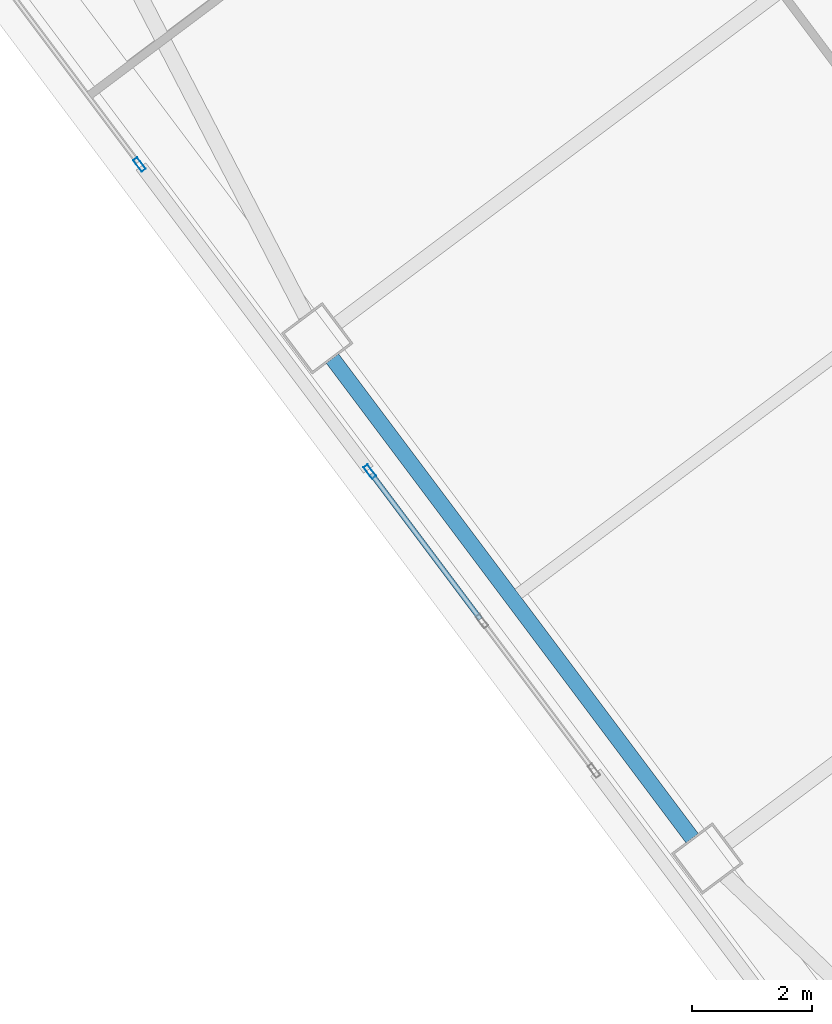
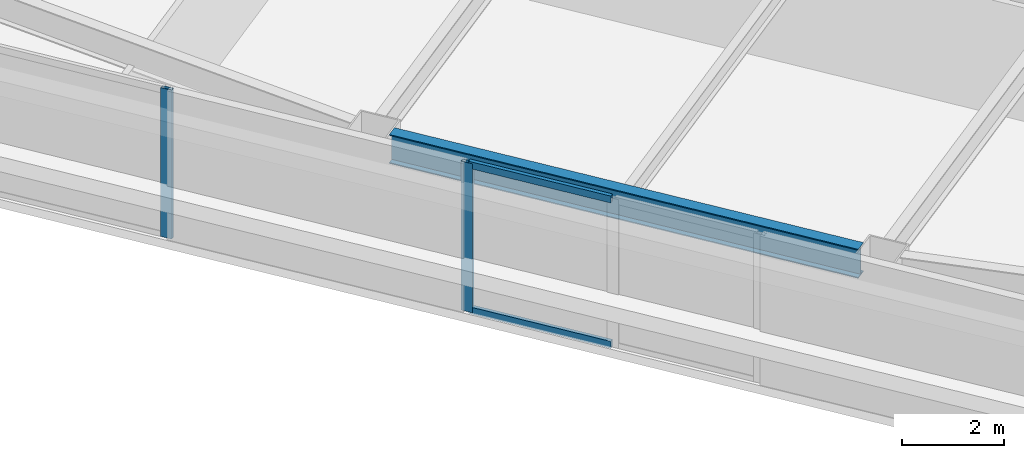
# One storey, part 19 of 46: 4 members, 1 beam, 2 elements without a shape of their own.
"""IFC4 building model written with IfcOpenShell, lengths in metres."""

from ifc_helpers import new_model, si_unit, direction, frame, origin, origin_2d, place, context, subcontext, project, spatial, hollow_rectangle, i_section, extrude, material, material_profile, profile_set, type_object, element, aggregate, save


model = new_model("IFC4")

# Units and contexts
model_context = context("Model", 3, precision=1e-05, world=origin(), true_north=direction((0.0, 1.0)))
body_context = subcontext(model_context, "Body", "Model", "MODEL_VIEW")
ifc_project = project(units=[si_unit("LENGTHUNIT", "METRE"), si_unit("AREAUNIT", "SQUARE_METRE"), si_unit("VOLUMEUNIT", "CUBIC_METRE"), si_unit("PLANEANGLEUNIT", "RADIAN"), si_unit("MASSUNIT", "GRAM", prefix="KILO")], contexts=[model_context])

# Site, building, storey
site_placement = place(None, origin())
site = spatial("IfcSite", under=ifc_project, at=site_placement, CompositionType="ELEMENT")
building_placement = place(site_placement, origin())
building = spatial("IfcBuilding", under=site, at=building_placement, Name="Tashvorn Skyway Center", CompositionType="ELEMENT")
storey_placement = place(building_placement, frame((0.0, 0.0, 38.800048828125)))
storey = spatial("IfcBuildingStorey", under=building, at=storey_placement, Name="L09", CompositionType="ELEMENT", Elevation=38.800048828125)

# Beam
ifc_material_1 = material(Name="Steel ASTM A992 Grade 50", Category="steel")
ifc_material_profile_1 = material_profile(ifc_material_1, i_section(OverallWidth=0.256103515625, OverallDepth=0.693115234375, WebThickness=0.014404296875, FlangeThickness=0.023681640625, at=origin_2d()), Name="W27X114")
ifc_profile_set_1 = profile_set([ifc_material_profile_1], Name="Steel ASTM A992 Grade 50")
beam_type = type_object("IfcBeamType", Name="BM-SPANDREL-W27X114", PredefinedType="SPANDREL", material=ifc_profile_set_1)
beam_placement = place(storey_placement, frame((94.172119140625, 23.35400390625, 3.00341796875), z_axis=(0.599988234018, -0.800008824351, 0.0), x_axis=(0.800008824351, 0.599988234018, 0.0)))
element("IfcBeam", 1, at=beam_placement, inside=storey, type_object=beam_type, Name="Tower 2 L09 Spandrel Beam 11", PredefinedType="SPANDREL", context=body_context, shape_type="SweptSolid", body=[
    extrude(i_section(OverallWidth=0.256103515625, OverallDepth=0.693115234375, WebThickness=0.014404296875, FlangeThickness=0.023681640625, at=origin_2d()), origin(), (0.0, 0.0, 1.0), 9.9599609375),
])

# Curtain wall, member
ifc_material_2 = material(Name="Thermally broken bronze-anodized aluminium 6063-T6", Category="aluminium")
curtain_wall_type = type_object("IfcCurtainWallType", Name="CW-CW-Z1", PredefinedType="NOTDEFINED", material=ifc_material_2)
curtain_wall_1_placement = place(storey_placement, origin())
curtain_wall_1 = element("IfcCurtainWall", 2, at=curtain_wall_1_placement, inside=storey, type_object=curtain_wall_type, Name="Tower 2 L09 West Unitised Curtain Wall Glazing Group 2", PredefinedType="NOTDEFINED")
ifc_material_profile_2 = material_profile(ifc_material_2, hollow_rectangle(XDim=0.0849609375, YDim=0.239990234375, WallThickness=0.0048828125, at=origin_2d()), Name="ALU-MULL-85x240")
ifc_profile_set_2 = profile_set([ifc_material_profile_2], Name="Thermally broken bronze-anodized aluminium 6063-T6")
member_type_1 = type_object("IfcMemberType", Name="CWM-CW-Z1", PredefinedType="MULLION", material=ifc_profile_set_2)
member_1_placement = place(storey_placement, frame((94.79345703125, 21.475341796875, 0.0), z_axis=(0.0, 0.0, 1.0), x_axis=(-0.799996186392, -0.600005084776, 0.0)))
member_1 = element("IfcMember", 3, at=member_1_placement, type_object=member_type_1, Name="CW-Z1 mullion 3", PredefinedType="MULLION", context=body_context, shape_type="SweptSolid", body=[
    extrude(hollow_rectangle(XDim=0.0849609375, YDim=0.239990234375, WallThickness=0.0048828125, at=origin_2d()), origin(), (0.0, 0.0, 1.0), 3.550048828125),
])

curtain_wall_2_placement = place(storey_placement, origin())
curtain_wall_2 = element("IfcCurtainWall", 4, at=curtain_wall_2_placement, inside=storey, type_object=curtain_wall_type, Name="Tower 2 L09 West Unitised Curtain Wall Glazing Group 3", PredefinedType="NOTDEFINED")
member_2_placement = place(storey_placement, frame((90.966552734375, 26.577880859375, 0.0), z_axis=(0.0, 0.0, 1.0), x_axis=(-0.799999999998, -0.600000000002, 0.0)))
member_2 = element("IfcMember", 5, at=member_2_placement, type_object=member_type_1, Name="CW-Z1 mullion 1", PredefinedType="MULLION", context=body_context, shape_type="SweptSolid", body=[
    extrude(hollow_rectangle(XDim=0.0849609375, YDim=0.239990234375, WallThickness=0.0048828125, at=origin_2d()), origin(), (0.0, 0.0, 1.0), 3.550048828125),
])
aggregate(curtain_wall_2, [member_2])

# Member
ifc_material_profile_3 = material_profile(ifc_material_2, hollow_rectangle(XDim=0.0849609375, YDim=0.1650390625, WallThickness=0.0048828125, at=origin_2d()), Name="ALU-TRAN-85x165")
ifc_profile_set_3 = profile_set([ifc_material_profile_3], Name="Thermally broken bronze-anodized aluminium 6063-T6")
member_type_2 = type_object("IfcMemberType", Name="CWT-CW-Z1", PredefinedType="USERDEFINED", material=ifc_profile_set_3)
member_3_placement = place(storey_placement, frame((96.630615234375, 19.02587890625, 0.04248046875), z_axis=(-0.599974124791, 0.800019405753, 0.0), x_axis=(-0.800019405753, -0.599974124791, 0.0)))
member_3 = element("IfcMember", 6, at=member_3_placement, type_object=member_type_2, Name="CW-Z1 transom 2.1", ObjectType="TRANSOM", PredefinedType="USERDEFINED", context=body_context, shape_type="SweptSolid", body=[
    extrude(hollow_rectangle(XDim=0.0849609375, YDim=0.1650390625, WallThickness=0.0048828125, at=origin_2d()), origin(), (0.0, 0.0, 1.0), 3.019287109375),
])

member_4_placement = place(storey_placement, frame((96.630615234375, 19.02587890625, 3.507568359375), z_axis=(-0.599974124791, 0.800019405753, 0.0), x_axis=(-0.800019405753, -0.599974124791, 0.0)))
member_4 = element("IfcMember", 7, at=member_4_placement, type_object=member_type_2, Name="CW-Z1 transom 2.2", ObjectType="TRANSOM", PredefinedType="USERDEFINED", context=body_context, shape_type="SweptSolid", body=[
    extrude(hollow_rectangle(XDim=0.0849609375, YDim=0.1650390625, WallThickness=0.0048828125, at=origin_2d()), origin(), (0.0, 0.0, 1.0), 3.019287109375),
])

aggregate(curtain_wall_1, [member_1, member_3, member_4])

save(model, "model.ifc")
